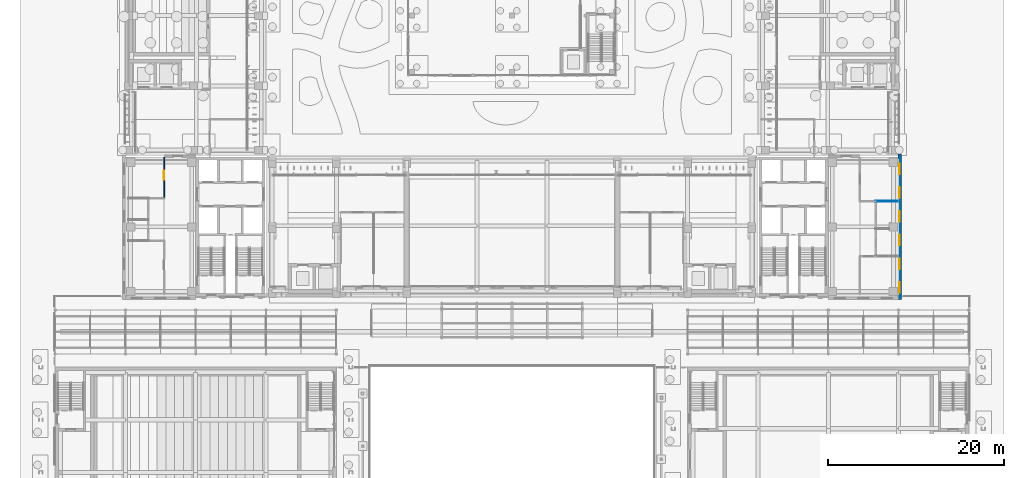
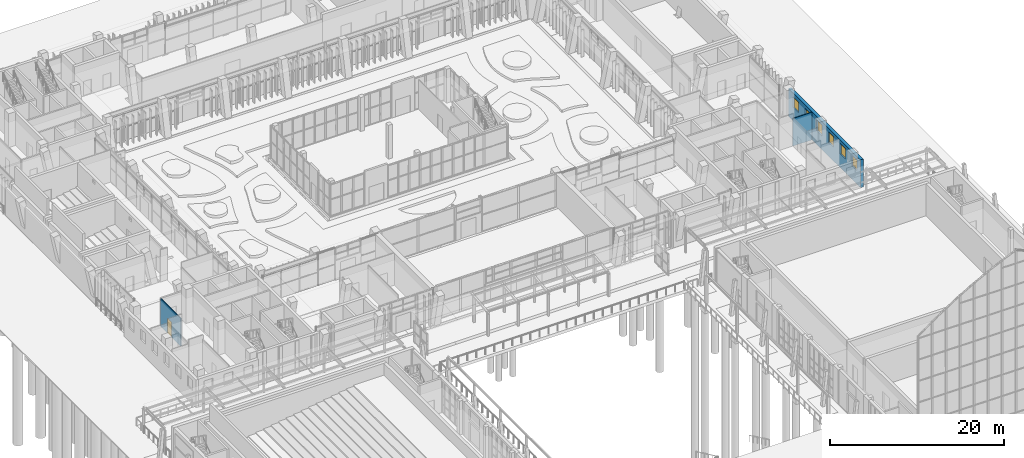
# One storey, part 107 of 144: 6 windows, 3 walls, 1 door, 7 openings.
"""IFC4 building model written with IfcOpenShell, lengths in metres."""

from ifc_helpers import new_model, si_unit, direction, frame, frame_2d, origin, place, context, subcontext, project, spatial, rectangle, extrude, material, layer, layer_set, type_object, element, fill, save


model = new_model("IFC4")

# Units and contexts
model_context = context("Model", 3, precision=1e-05, world=origin(), true_north=direction((0.0, 1.0)))
body_context = subcontext(model_context, "Body", "Model", "MODEL_VIEW")
ifc_project = project(units=[si_unit("LENGTHUNIT", "METRE"), si_unit("AREAUNIT", "SQUARE_METRE"), si_unit("VOLUMEUNIT", "CUBIC_METRE"), si_unit("PLANEANGLEUNIT", "RADIAN"), si_unit("MASSUNIT", "GRAM", prefix="KILO")], contexts=[model_context])

# Site, building, storey
site_placement = place(None, origin())
site = spatial("IfcSite", under=ifc_project, at=site_placement, CompositionType="ELEMENT")
building_placement = place(site_placement, origin())
building = spatial("IfcBuilding", under=site, at=building_placement, Name="Lantern Court Media Centre", CompositionType="ELEMENT")
storey_placement = place(building_placement, origin())
storey = spatial("IfcBuildingStorey", under=building, at=storey_placement, Name="L00", CompositionType="ELEMENT", Elevation=0.0)

# Wall, opening, door
ifc_material_1 = material(Name="Gypsum board partition")
ifc_layer_1 = layer(ifc_material_1, 0.125)
ifc_layer_set_1 = layer_set([ifc_layer_1], Name="Gypsum board partition")
wall_type_1 = type_object("IfcWallType", Name="Corridor partition 125", PredefinedType="PARTITIONING", material=ifc_layer_set_1)
wall_1_placement = place(storey_placement, frame((12.39990234375, 59.270751953125, 0.0), z_axis=(0.0, 0.0, 1.0), x_axis=(0.0, 1.0, 0.0)))
wall_1 = element("IfcWall", 1, at=wall_1_placement, inside=storey, type_object=wall_type_1, Name="L00 partition 028", PredefinedType="PARTITIONING", context=body_context, shape_type="SweptSolid", body=[
    extrude(rectangle(XDim=4.629150390625, YDim=0.125, at=frame_2d((2.314453125, 0.0))), origin(), (0.0, 0.0, 1.0), 3.8798828125),
])
opening_1_placement = place(wall_1_placement, frame((2.058349609375, 0.0, 0.0)))
opening_1 = element("IfcOpeningElement", 2, at=opening_1_placement, cuts=wall_1, Name="Opening L00-020", PredefinedType="OPENING", context=body_context, shape_type="SweptSolid", body=[
    extrude(rectangle(XDim=1.0, YDim=2.10009765625, at=frame_2d((0.5, 1.050048828125))), frame((0.0, 0.072509765625, 0.0), z_axis=(0.0, -1.0, 0.0), x_axis=(1.0, 0.0, 0.0)), (0.0, 0.0, 1.0), 0.14501953125),
])
ifc_material_2 = material(Name="Solid-core timber door leaf", Category="wood")
door_type = type_object("IfcDoorType", Name="Single door 1000x2100", OperationType="NOTDEFINED", PredefinedType="DOOR", material=ifc_material_2)
door_placement = place(opening_1_placement, origin())
door = element("IfcDoor", 3, at=door_placement, inside=storey, type_object=door_type, Name="L00 Visitor Services and Booking door", OperationType="SINGLE_SWING_LEFT", OverallHeight=2.10009765625, OverallWidth=1.0, PredefinedType="DOOR", context=body_context, shape_type="SweptSolid", body=[
    extrude(rectangle(XDim=1.0, YDim=2.10009765625, at=frame_2d((0.5, 1.050048828125))), frame((0.0, 0.02490234375, 0.0), z_axis=(0.0, -1.0, 0.0), x_axis=(1.0, 0.0, 0.0)), (0.0, 0.0, 1.0), 0.050048828125),
])
fill(opening_1, door)

# Wall, openings, windows
ifc_material_3 = material(Name="Honed limestone cladding on blockwork", Category="masonry")
ifc_layer_2 = layer(ifc_material_3, 0.39990234375)
ifc_layer_set_2 = layer_set([ifc_layer_2], Name="Honed limestone cladding on blockwork")
wall_type_2 = type_object("IfcWallType", Name="Limestone plinth wall 400", PredefinedType="SOLIDWALL", material=ifc_layer_set_2)
wall_2_placement = place(storey_placement, frame((96.1201171875, 47.699951171875, 0.0), z_axis=(0.0, 0.0, 1.0), x_axis=(0.0, 1.0, 0.0)))
wall_2 = element("IfcWall", 4, at=wall_2_placement, inside=storey, type_object=wall_type_2, Name="Limestone wall SE E L00", PredefinedType="SOLIDWALL", context=body_context, shape_type="SweptSolid", body=[
    extrude(rectangle(XDim=16.574951171875, YDim=0.39990234375, at=frame_2d((8.28759765625, 0.0))), origin(), (0.0, 0.0, 1.0), 3.89990234375),
])
opening_2_placement = place(wall_2_placement, frame((0.75, 0.0, 1.89990234375)))
opening_2 = element("IfcOpeningElement", 5, at=opening_2_placement, cuts=wall_2, Name="Opening WN-C", PredefinedType="OPENING", context=body_context, shape_type="SweptSolid", body=[
    extrude(rectangle(XDim=1.199951171875, YDim=1.5, at=frame_2d((0.60009765625, 0.75))), frame((0.0, 0.2099609375, 0.0), z_axis=(0.0, -1.0, 0.0), x_axis=(1.0, 0.0, 0.0)), (0.0, 0.0, 1.0), 0.419921875),
])
opening_3_placement = place(wall_2_placement, frame((3.449951171875, 0.0, 1.89990234375)))
opening_3 = element("IfcOpeningElement", 6, at=opening_3_placement, cuts=wall_2, Name="Opening WN-C", PredefinedType="OPENING", context=body_context, shape_type="SweptSolid", body=[
    extrude(rectangle(XDim=1.199951171875, YDim=1.5, at=frame_2d((0.60009765625, 0.75))), frame((0.0, 0.2099609375, 0.0), z_axis=(0.0, -1.0, 0.0), x_axis=(1.0, 0.0, 0.0)), (0.0, 0.0, 1.0), 0.419921875),
])
opening_4_placement = place(wall_2_placement, frame((6.14990234375, 0.0, 1.89990234375)))
opening_4 = element("IfcOpeningElement", 7, at=opening_4_placement, cuts=wall_2, Name="Opening WN-C", PredefinedType="OPENING", context=body_context, shape_type="SweptSolid", body=[
    extrude(rectangle(XDim=1.199951171875, YDim=1.5, at=frame_2d((0.60009765625, 0.75))), frame((0.0, 0.2099609375, 0.0), z_axis=(0.0, -1.0, 0.0), x_axis=(1.0, 0.0, 0.0)), (0.0, 0.0, 1.0), 0.419921875),
])
opening_5_placement = place(wall_2_placement, frame((8.85009765625, 0.0, 1.89990234375)))
opening_5 = element("IfcOpeningElement", 8, at=opening_5_placement, cuts=wall_2, Name="Opening WN-C", PredefinedType="OPENING", context=body_context, shape_type="SweptSolid", body=[
    extrude(rectangle(XDim=1.199951171875, YDim=1.5, at=frame_2d((0.60009765625, 0.75))), frame((0.0, 0.2099609375, 0.0), z_axis=(0.0, -1.0, 0.0), x_axis=(1.0, 0.0, 0.0)), (0.0, 0.0, 1.0), 0.419921875),
])
opening_6_placement = place(wall_2_placement, frame((11.550048828125, 0.0, 1.89990234375)))
opening_6 = element("IfcOpeningElement", 9, at=opening_6_placement, cuts=wall_2, Name="Opening WN-C", PredefinedType="OPENING", context=body_context, shape_type="SweptSolid", body=[
    extrude(rectangle(XDim=1.199951171875, YDim=1.5, at=frame_2d((0.60009765625, 0.75))), frame((0.0, 0.2099609375, 0.0), z_axis=(0.0, -1.0, 0.0), x_axis=(1.0, 0.0, 0.0)), (0.0, 0.0, 1.0), 0.419921875),
])
opening_7_placement = place(wall_2_placement, frame((14.25, 0.0, 1.89990234375)))
opening_7 = element("IfcOpeningElement", 10, at=opening_7_placement, cuts=wall_2, Name="Opening WN-C", PredefinedType="OPENING", context=body_context, shape_type="SweptSolid", body=[
    extrude(rectangle(XDim=1.199951171875, YDim=1.5, at=frame_2d((0.60009765625, 0.75))), frame((0.0, 0.2099609375, 0.0), z_axis=(0.0, -1.0, 0.0), x_axis=(1.0, 0.0, 0.0)), (0.0, 0.0, 1.0), 0.419921875),
])
ifc_material_4 = material(Name="Anodised aluminium and glass", Category="aluminium")
window_type = type_object("IfcWindowType", Name="Clerestory window 1200x1500", PartitioningType="SINGLE_PANEL", PredefinedType="WINDOW", material=ifc_material_4)
window_1_placement = place(opening_2_placement, origin())
window_1 = element("IfcWindow", 11, at=window_1_placement, inside=storey, type_object=window_type, Name="Window SE E L00", OverallHeight=1.5, OverallWidth=1.199951171875, PartitioningType="SINGLE_PANEL", PredefinedType="WINDOW", context=body_context, shape_type="SweptSolid", body=[
    extrude(rectangle(XDim=1.199951171875, YDim=1.5, at=frame_2d((0.60009765625, 0.75))), frame((0.0, 0.030029296875, 0.0), z_axis=(0.0, -1.0, 0.0), x_axis=(1.0, 0.0, 0.0)), (0.0, 0.0, 1.0), 0.06005859375),
])
fill(opening_2, window_1)
window_2_placement = place(opening_3_placement, origin())
window_2 = element("IfcWindow", 12, at=window_2_placement, inside=storey, type_object=window_type, Name="Window SE E L00", OverallHeight=1.5, OverallWidth=1.199951171875, PartitioningType="SINGLE_PANEL", PredefinedType="WINDOW", context=body_context, shape_type="SweptSolid", body=[
    extrude(rectangle(XDim=1.199951171875, YDim=1.5, at=frame_2d((0.60009765625, 0.75))), frame((0.0, 0.030029296875, 0.0), z_axis=(0.0, -1.0, 0.0), x_axis=(1.0, 0.0, 0.0)), (0.0, 0.0, 1.0), 0.06005859375),
])
fill(opening_3, window_2)
window_3_placement = place(opening_4_placement, origin())
window_3 = element("IfcWindow", 13, at=window_3_placement, inside=storey, type_object=window_type, Name="Window SE E L00", OverallHeight=1.5, OverallWidth=1.199951171875, PartitioningType="SINGLE_PANEL", PredefinedType="WINDOW", context=body_context, shape_type="SweptSolid", body=[
    extrude(rectangle(XDim=1.199951171875, YDim=1.5, at=frame_2d((0.60009765625, 0.75))), frame((0.0, 0.030029296875, 0.0), z_axis=(0.0, -1.0, 0.0), x_axis=(1.0, 0.0, 0.0)), (0.0, 0.0, 1.0), 0.06005859375),
])
fill(opening_4, window_3)
window_4_placement = place(opening_5_placement, origin())
window_4 = element("IfcWindow", 14, at=window_4_placement, inside=storey, type_object=window_type, Name="Window SE E L00", OverallHeight=1.5, OverallWidth=1.199951171875, PartitioningType="SINGLE_PANEL", PredefinedType="WINDOW", context=body_context, shape_type="SweptSolid", body=[
    extrude(rectangle(XDim=1.199951171875, YDim=1.5, at=frame_2d((0.60009765625, 0.75))), frame((0.0, 0.030029296875, 0.0), z_axis=(0.0, -1.0, 0.0), x_axis=(1.0, 0.0, 0.0)), (0.0, 0.0, 1.0), 0.06005859375),
])
fill(opening_5, window_4)
window_5_placement = place(opening_6_placement, origin())
window_5 = element("IfcWindow", 15, at=window_5_placement, inside=storey, type_object=window_type, Name="Window SE E L00", OverallHeight=1.5, OverallWidth=1.199951171875, PartitioningType="SINGLE_PANEL", PredefinedType="WINDOW", context=body_context, shape_type="SweptSolid", body=[
    extrude(rectangle(XDim=1.199951171875, YDim=1.5, at=frame_2d((0.60009765625, 0.75))), frame((0.0, 0.030029296875, 0.0), z_axis=(0.0, -1.0, 0.0), x_axis=(1.0, 0.0, 0.0)), (0.0, 0.0, 1.0), 0.06005859375),
])
fill(opening_6, window_5)
window_6_placement = place(opening_7_placement, origin())
window_6 = element("IfcWindow", 16, at=window_6_placement, inside=storey, type_object=window_type, Name="Window SE E L00", OverallHeight=1.5, OverallWidth=1.199951171875, PartitioningType="SINGLE_PANEL", PredefinedType="WINDOW", context=body_context, shape_type="SweptSolid", body=[
    extrude(rectangle(XDim=1.199951171875, YDim=1.5, at=frame_2d((0.60009765625, 0.75))), frame((0.0, 0.030029296875, 0.0), z_axis=(0.0, -1.0, 0.0), x_axis=(1.0, 0.0, 0.0)), (0.0, 0.0, 1.0), 0.06005859375),
])
fill(opening_7, window_6)

# Wall
ifc_layer_3 = layer(ifc_material_1, 0.10009765625)
ifc_layer_set_3 = layer_set([ifc_layer_3], Name="Gypsum board partition")
wall_type_3 = type_object("IfcWallType", Name="Partition 100", PredefinedType="PARTITIONING", material=ifc_layer_set_3)
wall_3_placement = place(storey_placement, frame((93.33740234375, 58.85205078125, 0.0), z_axis=(0.0, 0.0, 1.0), x_axis=(1.0, 0.0, 0.0)))
element("IfcWall", 17, at=wall_3_placement, inside=storey, type_object=wall_type_3, Name="L00 partition 043", PredefinedType="PARTITIONING", context=body_context, shape_type="SweptSolid", body=[
    extrude(rectangle(XDim=2.58251953125, YDim=0.10009765625, at=frame_2d((1.291259765625, 0.0))), origin(), (0.0, 0.0, 1.0), 3.8798828125),
])

save(model, "model.ifc")
